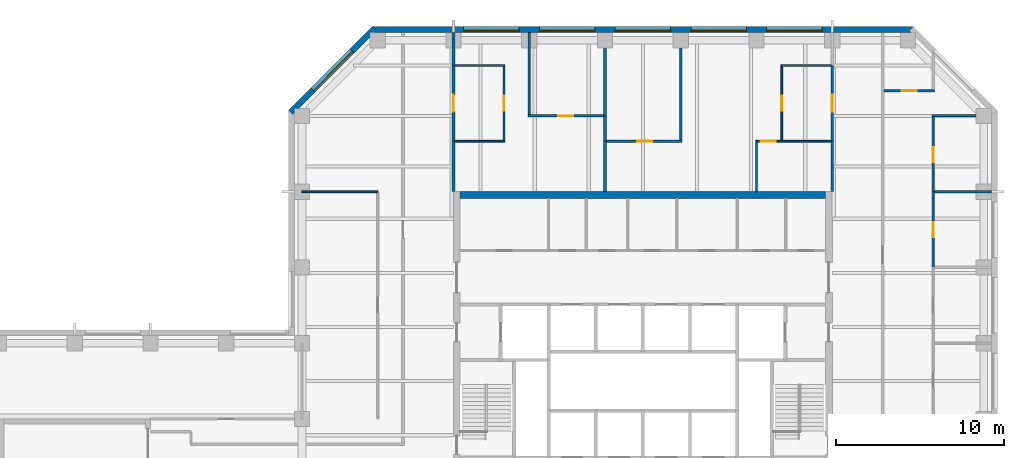
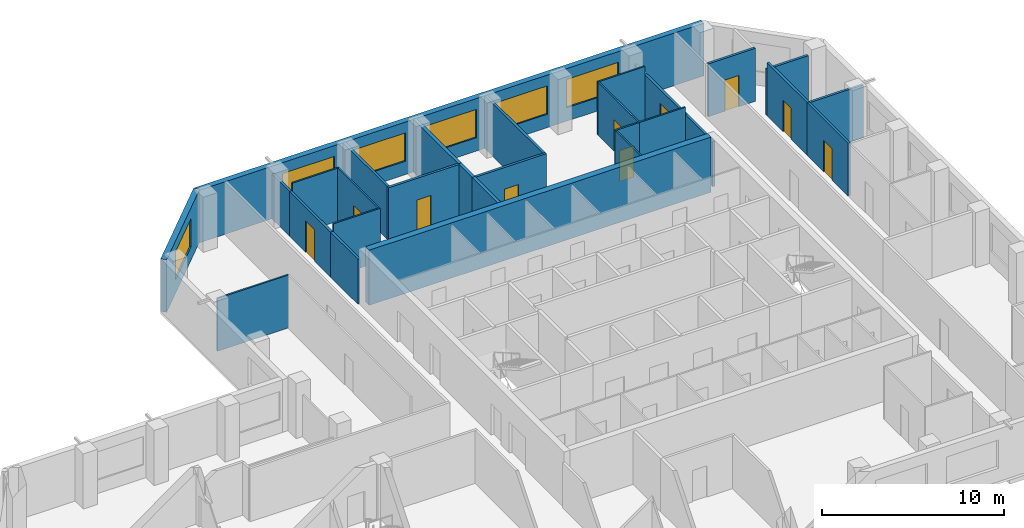
# One storey, part 7 of 9: 29 walls, 10 doors, 6 windows, 16 openings.
"""IFC4 building model written with IfcOpenShell, lengths in metres."""

from ifc_helpers import new_model, si_unit, direction, frame, frame_2d, origin, place, context, subcontext, project, spatial, rectangle, extrude, material, layer, layer_set, constituent, constituent_set, type_object, element, fill, save


model = new_model("IFC4")

# Units and contexts
model_context = context("Model", 3, precision=1e-05, world=origin(), true_north=direction((0.0, 1.0)))
body_context = subcontext(model_context, "Body", "Model", "MODEL_VIEW")
ifc_project = project(units=[si_unit("LENGTHUNIT", "METRE"), si_unit("AREAUNIT", "SQUARE_METRE"), si_unit("VOLUMEUNIT", "CUBIC_METRE"), si_unit("PLANEANGLEUNIT", "RADIAN"), si_unit("MASSUNIT", "GRAM", prefix="KILO")], contexts=[model_context])

# Site, building, storey
site_placement = place(None, origin())
site = spatial("IfcSite", under=ifc_project, at=site_placement, CompositionType="ELEMENT")
building_placement = place(site_placement, origin())
building = spatial("IfcBuilding", under=site, at=building_placement, Name="Quoin Convention Tower", CompositionType="ELEMENT")
storey_placement = place(building_placement, frame((0.0, 0.0, 230.39990234375)))
storey = spatial("IfcBuildingStorey", under=building, at=storey_placement, Name="L60", CompositionType="ELEMENT", Elevation=230.39990234375)

# Wall
ifc_material_1 = material(Name="Plasterboard")
ifc_layer_1 = layer(ifc_material_1, 0.012451171875, Name="Finish")
ifc_material_2 = material(Name="Steel stud framing", Category="steel")
ifc_layer_2 = layer(ifc_material_2, 0.125, Name="Structure")
ifc_layer_3 = layer(ifc_material_1, 0.012451171875, Name="Finish")
ifc_layer_set_1 = layer_set([ifc_layer_1, ifc_layer_2, ifc_layer_3], Name="Steel stud framing")
wall_type_1 = type_object("IfcWallType", Name="Acoustic partition 150", PredefinedType="PARTITIONING", material=ifc_layer_set_1)
wall_1_placement = place(storey_placement, frame((73.574951171875, 72.0, 0.0), z_axis=(0.0, 0.0, 1.0), x_axis=(1.0, 0.0, 0.0)))
element("IfcWall", 1, at=wall_1_placement, inside=storey, type_object=wall_type_1, Name="pw-L60-023", PredefinedType="PARTITIONING", context=body_context, shape_type="SweptSolid", body=[
    extrude(rectangle(XDim=3.375, YDim=0.14990234375, at=frame_2d((1.6875, 0.0))), origin(), (0.0, 0.0, 1.0), 3.550048828125),
])

# Wall, opening, door
wall_2_placement = place(storey_placement, frame((54.10009765625, 75.0, 0.0), z_axis=(0.0, 0.0, 1.0), x_axis=(1.0, 0.0, 0.0)))
wall_2 = element("IfcWall", 2, at=wall_2_placement, inside=storey, type_object=wall_type_1, Name="pw-L60-025", PredefinedType="PARTITIONING", context=body_context, shape_type="SweptSolid", body=[
    extrude(rectangle(XDim=4.474853515625, YDim=0.14990234375, at=frame_2d((2.2373046875, 0.0))), origin(), (0.0, 0.0, 1.0), 3.550048828125),
])
opening_1_placement = place(wall_2_placement, frame((1.800048828125, 0.0, 0.0)))
opening_1 = element("IfcOpeningElement", 3, at=opening_1_placement, cuts=wall_2, Name="Opening DOH10-04", PredefinedType="OPENING", context=body_context, shape_type="SweptSolid", body=[
    extrude(rectangle(XDim=0.89990234375, YDim=2.10009765625, at=frame_2d((0.449951171875, 1.050048828125))), frame((0.0, 0.0849609375, 0.0), z_axis=(0.0, -1.0, 0.0), x_axis=(1.0, 0.0, 0.0)), (0.0, 0.0, 1.0), 0.169921875),
])
ifc_material_3 = material(Name="Steel door leaf", Category="steel")
door_type_1 = type_object("IfcDoorType", Name="Office door 900 x 2100", OperationType="SINGLE_SWING_RIGHT", PredefinedType="DOOR", material=ifc_material_3)
door_1_placement = place(opening_1_placement, frame((0.89990234375, 0.0, 0.0), z_axis=(0.0, 0.0, 1.0), x_axis=(-1.0, 0.0, 0.0)))
door_1 = element("IfcDoor", 4, at=door_1_placement, inside=storey, type_object=door_type_1, Name="dr-L60-20", OperationType="SINGLE_SWING_LEFT", OverallHeight=2.10009765625, OverallWidth=0.89990234375, PredefinedType="DOOR", context=body_context, shape_type="SweptSolid", body=[
    extrude(rectangle(XDim=0.89990234375, YDim=2.10009765625, at=frame_2d((0.449951171875, 1.050048828125))), frame((0.0, 0.02490234375, 0.0), z_axis=(0.0, -1.0, 0.0), x_axis=(1.0, 0.0, 0.0)), (0.0, 0.0, 1.0), 0.050048828125),
])
fill(opening_1, door_1)

wall_3_placement = place(storey_placement, frame((49.425048828125, 76.5, 0.0), z_axis=(0.0, 0.0, 1.0), x_axis=(1.0, 0.0, 0.0)))
wall_3 = element("IfcWall", 5, at=wall_3_placement, inside=storey, type_object=wall_type_1, Name="pw-L60-028", PredefinedType="PARTITIONING", context=body_context, shape_type="SweptSolid", body=[
    extrude(rectangle(XDim=4.474853515625, YDim=0.14990234375, at=frame_2d((2.2373046875, 0.0))), origin(), (0.0, 0.0, 1.0), 3.550048828125),
])
opening_2_placement = place(wall_3_placement, frame((1.800048828125, 0.0, 0.0)))
opening_2 = element("IfcOpeningElement", 6, at=opening_2_placement, cuts=wall_3, Name="Opening DOH10-06", PredefinedType="OPENING", context=body_context, shape_type="SweptSolid", body=[
    extrude(rectangle(XDim=0.89990234375, YDim=2.10009765625, at=frame_2d((0.449951171875, 1.050048828125))), frame((0.0, 0.0849609375, 0.0), z_axis=(0.0, -1.0, 0.0), x_axis=(1.0, 0.0, 0.0)), (0.0, 0.0, 1.0), 0.169921875),
])
door_2_placement = place(opening_2_placement, frame((0.89990234375, 0.0, 0.0), z_axis=(0.0, 0.0, 1.0), x_axis=(-1.0, 0.0, 0.0)))
door_2 = element("IfcDoor", 7, at=door_2_placement, inside=storey, type_object=door_type_1, Name="dr-L60-17", OperationType="SINGLE_SWING_LEFT", OverallHeight=2.10009765625, OverallWidth=0.89990234375, PredefinedType="DOOR", context=body_context, shape_type="SweptSolid", body=[
    extrude(rectangle(XDim=0.89990234375, YDim=2.10009765625, at=frame_2d((0.449951171875, 1.050048828125))), frame((0.0, 0.02490234375, 0.0), z_axis=(0.0, -1.0, 0.0), x_axis=(1.0, 0.0, 0.0)), (0.0, 0.0, 1.0), 0.050048828125),
])
fill(opening_2, door_2)

wall_4_placement = place(storey_placement, frame((73.5, 67.5, 0.0), z_axis=(0.0, 0.0, 1.0), x_axis=(0.0, 1.0, 0.0)))
wall_4 = element("IfcWall", 8, at=wall_4_placement, inside=storey, type_object=wall_type_1, Name="pw-L60-065", PredefinedType="PARTITIONING", context=body_context, shape_type="SweptSolid", body=[
    extrude(rectangle(XDim=4.5, YDim=0.14990234375, at=frame_2d((2.25, 0.0))), origin(), (0.0, 0.0, 1.0), 3.550048828125),
])
opening_3_placement = place(wall_4_placement, frame((1.800048828125, 0.0, 0.0)))
opening_3 = element("IfcOpeningElement", 9, at=opening_3_placement, cuts=wall_4, Name="Opening DOH10-18", PredefinedType="OPENING", context=body_context, shape_type="SweptSolid", body=[
    extrude(rectangle(XDim=0.89990234375, YDim=2.10009765625, at=frame_2d((0.449951171875, 1.050048828125))), frame((0.0, 0.0849609375, 0.0), z_axis=(0.0, -1.0, 0.0), x_axis=(1.0, 0.0, 0.0)), (0.0, 0.0, 1.0), 0.169921875),
])
door_3_placement = place(opening_3_placement, origin())
door_3 = element("IfcDoor", 10, at=door_3_placement, inside=storey, type_object=door_type_1, Name="dr-L60-29", OperationType="SINGLE_SWING_RIGHT", OverallHeight=2.10009765625, OverallWidth=0.89990234375, PredefinedType="DOOR", context=body_context, shape_type="SweptSolid", body=[
    extrude(rectangle(XDim=0.89990234375, YDim=2.10009765625, at=frame_2d((0.449951171875, 1.050048828125))), frame((0.0, 0.02490234375, 0.0), z_axis=(0.0, -1.0, 0.0), x_axis=(1.0, 0.0, 0.0)), (0.0, 0.0, 1.0), 0.050048828125),
])
fill(opening_3, door_3)

wall_5_placement = place(storey_placement, frame((73.5, 72.0, 0.0), z_axis=(0.0, 0.0, 1.0), x_axis=(0.0, 1.0, 0.0)))
wall_5 = element("IfcWall", 11, at=wall_5_placement, inside=storey, type_object=wall_type_1, Name="pw-L60-070", PredefinedType="PARTITIONING", context=body_context, shape_type="SweptSolid", body=[
    extrude(rectangle(XDim=4.425048828125, YDim=0.14990234375, at=frame_2d((2.21240234375, 0.0))), origin(), (0.0, 0.0, 1.0), 3.550048828125),
])
opening_4_placement = place(wall_5_placement, frame((1.75, 0.0, 0.0)))
opening_4 = element("IfcOpeningElement", 12, at=opening_4_placement, cuts=wall_5, Name="Opening DOH10-19", PredefinedType="OPENING", context=body_context, shape_type="SweptSolid", body=[
    extrude(rectangle(XDim=0.89990234375, YDim=2.10009765625, at=frame_2d((0.449951171875, 1.050048828125))), frame((0.0, 0.0849609375, 0.0), z_axis=(0.0, -1.0, 0.0), x_axis=(1.0, 0.0, 0.0)), (0.0, 0.0, 1.0), 0.169921875),
])
door_4_placement = place(opening_4_placement, origin())
door_4 = element("IfcDoor", 13, at=door_4_placement, inside=storey, type_object=door_type_1, Name="dr-L60-30", OperationType="SINGLE_SWING_RIGHT", OverallHeight=2.10009765625, OverallWidth=0.89990234375, PredefinedType="DOOR", context=body_context, shape_type="SweptSolid", body=[
    extrude(rectangle(XDim=0.89990234375, YDim=2.10009765625, at=frame_2d((0.449951171875, 1.050048828125))), frame((0.0, 0.02490234375, 0.0), z_axis=(0.0, -1.0, 0.0), x_axis=(1.0, 0.0, 0.0)), (0.0, 0.0, 1.0), 0.050048828125),
])
fill(opening_4, door_4)

# Walls
wall_6_placement = place(storey_placement, frame((58.5, 75.074951171875, 0.0), z_axis=(0.0, 0.0, 1.0), x_axis=(0.0, 1.0, 0.0)))
element("IfcWall", 14, at=wall_6_placement, inside=storey, type_object=wall_type_1, Name="pw-L60-076", PredefinedType="PARTITIONING", context=body_context, shape_type="SweptSolid", body=[
    extrude(rectangle(XDim=6.375, YDim=0.14990234375, at=frame_2d((3.1875, 0.0))), origin(), (0.0, 0.0, 1.0), 3.550048828125),
])
wall_7_placement = place(storey_placement, frame((49.5, 76.574951171875, 0.0), z_axis=(0.0, 0.0, 1.0), x_axis=(0.0, 1.0, 0.0)))
element("IfcWall", 15, at=wall_7_placement, inside=storey, type_object=wall_type_1, Name="pw-L60-078", PredefinedType="PARTITIONING", context=body_context, shape_type="SweptSolid", body=[
    extrude(rectangle(XDim=4.875, YDim=0.14990234375, at=frame_2d((2.4375, 0.0))), origin(), (0.0, 0.0, 1.0), 3.550048828125),
])
ifc_layer_4 = layer(ifc_material_1, 0.012451171875, Name="Finish")
ifc_layer_5 = layer(ifc_material_2, 0.125, Name="Structure")
ifc_layer_6 = layer(ifc_material_1, 0.012451171875, Name="Finish")
ifc_layer_set_2 = layer_set([ifc_layer_4, ifc_layer_5, ifc_layer_6], Name="Steel stud framing")
wall_type_2 = type_object("IfcWallType", Name="Acoustic partition 150 under beam 454", PredefinedType="PARTITIONING", material=ifc_layer_set_2)
wall_8_placement = place(storey_placement, frame((73.425048828125, 76.5, 0.0), z_axis=(0.0, 0.0, 1.0), x_axis=(1.0, 0.0, 0.0)))
element("IfcWall", 16, at=wall_8_placement, inside=storey, type_object=wall_type_2, Name="pw-L60-029", PredefinedType="PARTITIONING", context=body_context, shape_type="SweptSolid", body=[
    extrude(rectangle(XDim=2.625, YDim=0.14990234375, at=frame_2d((1.3125, 0.0))), origin(), (0.0, 0.0, 1.0), 3.09619140625),
])

# Wall, openings, windows
ifc_material_4 = material(Name="Brick masonry", Category="masonry")
ifc_layer_7 = layer(ifc_material_4, 0.35009765625)
ifc_layer_set_3 = layer_set([ifc_layer_7], Name="Brick masonry")
wall_type_3 = type_object("IfcWallType", Name="Brick facade wall", PredefinedType="STANDARD", material=ifc_layer_set_3)
wall_9_placement = place(storey_placement, frame((72.331298828125, 81.625, 0.0), z_axis=(0.0, 0.0, 1.0), x_axis=(-1.0, 0.0, 0.0)))
wall_9 = element("IfcWall", 17, at=wall_9_placement, inside=storey, type_object=wall_type_3, Name="fw-L60-72000_81000", PredefinedType="STANDARD", context=body_context, shape_type="SweptSolid", body=[
    extrude(rectangle(XDim=32.16259765625, YDim=0.35009765625, at=frame_2d((16.081298828125, 0.0))), origin(), (0.0, 0.0, 1.0), 3.525146484375),
])
opening_5_placement = place(wall_9_placement, frame((5.431396484375, 0.0, 0.89990234375)))
opening_5 = element("IfcOpeningElement", 18, at=opening_5_placement, cuts=wall_9, Name="Opening W-02", PredefinedType="OPENING", context=body_context, shape_type="SweptSolid", body=[
    extrude(rectangle(XDim=3.300048828125, YDim=1.89990234375, at=frame_2d((1.64990234375, 0.949951171875))), frame((0.0, 0.18505859375, 0.0), z_axis=(0.0, -1.0, 0.0), x_axis=(1.0, 0.0, 0.0)), (0.0, 0.0, 1.0), 0.3701171875),
])
opening_6_placement = place(wall_9_placement, frame((9.931396484375, 0.0, 0.89990234375)))
opening_6 = element("IfcOpeningElement", 19, at=opening_6_placement, cuts=wall_9, Name="Opening W-02", PredefinedType="OPENING", context=body_context, shape_type="SweptSolid", body=[
    extrude(rectangle(XDim=3.300048828125, YDim=1.89990234375, at=frame_2d((1.64990234375, 0.949951171875))), frame((0.0, 0.18505859375, 0.0), z_axis=(0.0, -1.0, 0.0), x_axis=(1.0, 0.0, 0.0)), (0.0, 0.0, 1.0), 0.3701171875),
])
opening_7_placement = place(wall_9_placement, frame((14.431396484375, 0.0, 0.89990234375)))
opening_7 = element("IfcOpeningElement", 20, at=opening_7_placement, cuts=wall_9, Name="Opening W-02", PredefinedType="OPENING", context=body_context, shape_type="SweptSolid", body=[
    extrude(rectangle(XDim=3.300048828125, YDim=1.89990234375, at=frame_2d((1.64990234375, 0.949951171875))), frame((0.0, 0.18505859375, 0.0), z_axis=(0.0, -1.0, 0.0), x_axis=(1.0, 0.0, 0.0)), (0.0, 0.0, 1.0), 0.3701171875),
])
opening_8_placement = place(wall_9_placement, frame((18.931396484375, 0.0, 0.89990234375)))
opening_8 = element("IfcOpeningElement", 21, at=opening_8_placement, cuts=wall_9, Name="Opening W-02", PredefinedType="OPENING", context=body_context, shape_type="SweptSolid", body=[
    extrude(rectangle(XDim=3.300048828125, YDim=1.89990234375, at=frame_2d((1.64990234375, 0.949951171875))), frame((0.0, 0.18505859375, 0.0), z_axis=(0.0, -1.0, 0.0), x_axis=(1.0, 0.0, 0.0)), (0.0, 0.0, 1.0), 0.3701171875),
])
opening_9_placement = place(wall_9_placement, frame((23.431396484375, 0.0, 0.89990234375)))
opening_9 = element("IfcOpeningElement", 22, at=opening_9_placement, cuts=wall_9, Name="Opening W-02", PredefinedType="OPENING", context=body_context, shape_type="SweptSolid", body=[
    extrude(rectangle(XDim=3.300048828125, YDim=1.89990234375, at=frame_2d((1.64990234375, 0.949951171875))), frame((0.0, 0.18505859375, 0.0), z_axis=(0.0, -1.0, 0.0), x_axis=(1.0, 0.0, 0.0)), (0.0, 0.0, 1.0), 0.3701171875),
])
ifc_material_5 = material(Name="Aluminium", Category="aluminium")
ifc_constituent_1 = constituent(ifc_material_5, Name="Frame")
ifc_material_6 = material(Name="Insulated glass", Category="glass")
ifc_constituent_2 = constituent(ifc_material_6, Name="Glazing")
ifc_constituent_set = constituent_set(constituents=[ifc_constituent_1, ifc_constituent_2], Name="Aluminium")
window_type = type_object("IfcWindowType", Name="Office window", PartitioningType="DOUBLE_PANEL_VERTICAL", PredefinedType="WINDOW", material=ifc_constituent_set)
window_1_placement = place(opening_5_placement, origin())
window_1 = element("IfcWindow", 23, at=window_1_placement, inside=storey, type_object=window_type, Name="win-L60-65250_81625", OverallHeight=1.89990234375, OverallWidth=3.300048828125, PartitioningType="SINGLE_PANEL", PredefinedType="WINDOW", context=body_context, shape_type="SweptSolid", body=[
    extrude(rectangle(XDim=3.300048828125, YDim=1.89990234375, at=frame_2d((1.64990234375, 0.949951171875))), frame((0.0, 0.0849609375, 0.0), z_axis=(0.0, -1.0, 0.0), x_axis=(1.0, 0.0, 0.0)), (0.0, 0.0, 1.0), 0.06005859375),
])
fill(opening_5, window_1)
window_2_placement = place(opening_6_placement, origin())
window_2 = element("IfcWindow", 24, at=window_2_placement, inside=storey, type_object=window_type, Name="win-L60-60750_81625", OverallHeight=1.89990234375, OverallWidth=3.300048828125, PartitioningType="SINGLE_PANEL", PredefinedType="WINDOW", context=body_context, shape_type="SweptSolid", body=[
    extrude(rectangle(XDim=3.300048828125, YDim=1.89990234375, at=frame_2d((1.64990234375, 0.949951171875))), frame((0.0, 0.0849609375, 0.0), z_axis=(0.0, -1.0, 0.0), x_axis=(1.0, 0.0, 0.0)), (0.0, 0.0, 1.0), 0.06005859375),
])
fill(opening_6, window_2)
window_3_placement = place(opening_7_placement, origin())
window_3 = element("IfcWindow", 25, at=window_3_placement, inside=storey, type_object=window_type, Name="win-L60-56250_81625", OverallHeight=1.89990234375, OverallWidth=3.300048828125, PartitioningType="SINGLE_PANEL", PredefinedType="WINDOW", context=body_context, shape_type="SweptSolid", body=[
    extrude(rectangle(XDim=3.300048828125, YDim=1.89990234375, at=frame_2d((1.64990234375, 0.949951171875))), frame((0.0, 0.0849609375, 0.0), z_axis=(0.0, -1.0, 0.0), x_axis=(1.0, 0.0, 0.0)), (0.0, 0.0, 1.0), 0.06005859375),
])
fill(opening_7, window_3)
window_4_placement = place(opening_8_placement, origin())
window_4 = element("IfcWindow", 26, at=window_4_placement, inside=storey, type_object=window_type, Name="win-L60-51750_81625", OverallHeight=1.89990234375, OverallWidth=3.300048828125, PartitioningType="SINGLE_PANEL", PredefinedType="WINDOW", context=body_context, shape_type="SweptSolid", body=[
    extrude(rectangle(XDim=3.300048828125, YDim=1.89990234375, at=frame_2d((1.64990234375, 0.949951171875))), frame((0.0, 0.0849609375, 0.0), z_axis=(0.0, -1.0, 0.0), x_axis=(1.0, 0.0, 0.0)), (0.0, 0.0, 1.0), 0.06005859375),
])
fill(opening_8, window_4)
window_5_placement = place(opening_9_placement, origin())
window_5 = element("IfcWindow", 27, at=window_5_placement, inside=storey, type_object=window_type, Name="win-L60-47250_81625", OverallHeight=1.89990234375, OverallWidth=3.300048828125, PartitioningType="SINGLE_PANEL", PredefinedType="WINDOW", context=body_context, shape_type="SweptSolid", body=[
    extrude(rectangle(XDim=3.300048828125, YDim=1.89990234375, at=frame_2d((1.64990234375, 0.949951171875))), frame((0.0, 0.0849609375, 0.0), z_axis=(0.0, -1.0, 0.0), x_axis=(1.0, 0.0, 0.0)), (0.0, 0.0, 1.0), 0.06005859375),
])
fill(opening_9, window_5)

# Wall, opening, window
wall_10_placement = place(storey_placement, frame((40.29248046875, 81.67626953125, 0.0), z_axis=(0.0, 0.0, 1.0), x_axis=(-0.707106781187, -0.707106781187, 0.0)))
wall_10 = element("IfcWall", 28, at=wall_10_placement, inside=storey, type_object=wall_type_3, Name="fw-L60-40500_81000", PredefinedType="STANDARD", context=body_context, shape_type="SweptSolid", body=[
    extrude(rectangle(XDim=7.02685546875, YDim=0.35009765625, at=frame_2d((3.513427734375, 0.0))), origin(), (0.0, 0.0, 1.0), 3.525146484375),
])
opening_10_placement = place(wall_10_placement, frame((1.86328125, 0.0, 0.89990234375)))
opening_10 = element("IfcOpeningElement", 29, at=opening_10_placement, cuts=wall_10, Name="Opening W-02", PredefinedType="OPENING", context=body_context, shape_type="SweptSolid", body=[
    extrude(rectangle(XDim=3.300048828125, YDim=1.89990234375, at=frame_2d((1.64990234375, 0.949951171875))), frame((0.0, 0.18505859375, 0.0), z_axis=(0.0, -1.0, 0.0), x_axis=(1.0, 0.0, 0.0)), (0.0, 0.0, 1.0), 0.3701171875),
])
window_6_placement = place(opening_10_placement, origin())
window_6 = element("IfcWindow", 30, at=window_6_placement, inside=storey, type_object=window_type, Name="win-L60-37808_79192", OverallHeight=1.89990234375, OverallWidth=3.300048828125, PartitioningType="SINGLE_PANEL", PredefinedType="WINDOW", context=body_context, shape_type="SweptSolid", body=[
    extrude(rectangle(XDim=3.300048828125, YDim=1.89990234375, at=frame_2d((1.64990234375, 0.949951171875))), frame((0.0, 0.0849609375, 0.0), z_axis=(0.0, -1.0, 0.0), x_axis=(1.0, 0.0, 0.0)), (0.0, 0.0, 1.0), 0.06005859375),
])
fill(opening_10, window_6)

# Walls
ifc_layer_8 = layer(ifc_material_1, 0.012451171875, Name="Finish")
ifc_layer_9 = layer(ifc_material_2, 0.125, Name="Structure")
ifc_layer_10 = layer(ifc_material_1, 0.012451171875, Name="Finish")
ifc_layer_set_4 = layer_set([ifc_layer_8, ifc_layer_9, ifc_layer_10], Name="Steel stud framing")
wall_type_4 = type_object("IfcWallType", Name="Corridor wall 150 under beam 528", PredefinedType="PARTITIONING", material=ifc_layer_set_4)
for number, where, z_axis, x_axis, name in (
    (31, (45.0, 72.0, 0.0), (0.0, 0.0, 1.0), (0.0, 1.0, 0.0), "pw-L60-066"),
    (32, (67.5, 72.0, 0.0), (0.0, 0.0, 1.0), (0.0, 1.0, 0.0), "pw-L60-069"),
):
    element("IfcWall", number, at=place(storey_placement, frame(where, z_axis=z_axis, x_axis=x_axis)), inside=storey, type_object=wall_type_4, Name=name, PredefinedType="PARTITIONING", context=body_context, shape_type="SweptSolid", body=[
        extrude(rectangle(XDim=3.0, YDim=0.14990234375, at=frame_2d((1.5, 0.0))), origin(), (0.0, 0.0, 1.0), 3.022216796875),
    ])

# Wall, opening, door
wall_11_placement = place(storey_placement, frame((45.0, 75.0, 0.0), z_axis=(0.0, 0.0, 1.0), x_axis=(0.0, 1.0, 0.0)))
wall_11 = element("IfcWall", 33, at=wall_11_placement, inside=storey, type_object=wall_type_4, Name="pw-L60-071", PredefinedType="PARTITIONING", context=body_context, shape_type="SweptSolid", body=[
    extrude(rectangle(XDim=4.5, YDim=0.14990234375, at=frame_2d((2.25, 0.0))), origin(), (0.0, 0.0, 1.0), 3.022216796875),
])
opening_11_placement = place(wall_11_placement, frame((1.75, 0.0, 0.0)))
opening_11 = element("IfcOpeningElement", 34, at=opening_11_placement, cuts=wall_11, Name="Opening DOH10-20", PredefinedType="OPENING", context=body_context, shape_type="SweptSolid", body=[
    extrude(rectangle(XDim=1.0, YDim=2.10009765625, at=frame_2d((0.5, 1.050048828125))), frame((0.0, 0.0849609375, 0.0), z_axis=(0.0, -1.0, 0.0), x_axis=(1.0, 0.0, 0.0)), (0.0, 0.0, 1.0), 0.169921875),
])
door_type_2 = type_object("IfcDoorType", Name="Tenancy entrance door 1000 x 2100", OperationType="DOUBLE_DOOR_SINGLE_SWING", PredefinedType="DOOR", material=ifc_material_3)
door_5_placement = place(opening_11_placement, origin())
door_5 = element("IfcDoor", 35, at=door_5_placement, inside=storey, type_object=door_type_2, Name="dr-L60-15", OperationType="DOUBLE_DOOR_SINGLE_SWING", OverallHeight=2.10009765625, OverallWidth=1.0, PredefinedType="DOOR", context=body_context, shape_type="SweptSolid", body=[
    extrude(rectangle(XDim=1.0, YDim=2.10009765625, at=frame_2d((0.5, 1.050048828125))), frame((0.0, 0.02490234375, 0.0), z_axis=(0.0, -1.0, 0.0), x_axis=(1.0, 0.0, 0.0)), (0.0, 0.0, 1.0), 0.050048828125),
])
fill(opening_11, door_5)

wall_12_placement = place(storey_placement, frame((67.5, 75.0, 0.0), z_axis=(0.0, 0.0, 1.0), x_axis=(0.0, 1.0, 0.0)))
wall_12 = element("IfcWall", 36, at=wall_12_placement, inside=storey, type_object=wall_type_4, Name="pw-L60-073", PredefinedType="PARTITIONING", context=body_context, shape_type="SweptSolid", body=[
    extrude(rectangle(XDim=4.5, YDim=0.14990234375, at=frame_2d((2.25, 0.0))), origin(), (0.0, 0.0, 1.0), 3.022216796875),
])
opening_12_placement = place(wall_12_placement, frame((1.75, 0.0, 0.0)))
opening_12 = element("IfcOpeningElement", 37, at=opening_12_placement, cuts=wall_12, Name="Opening DOH10-21", PredefinedType="OPENING", context=body_context, shape_type="SweptSolid", body=[
    extrude(rectangle(XDim=1.0, YDim=2.10009765625, at=frame_2d((0.5, 1.050048828125))), frame((0.0, 0.0849609375, 0.0), z_axis=(0.0, -1.0, 0.0), x_axis=(1.0, 0.0, 0.0)), (0.0, 0.0, 1.0), 0.169921875),
])
door_6_placement = place(opening_12_placement, frame((1.0, 0.0, 0.0), z_axis=(0.0, 0.0, 1.0), x_axis=(-1.0, 0.0, 0.0)))
door_6 = element("IfcDoor", 38, at=door_6_placement, inside=storey, type_object=door_type_2, Name="dr-L60-18", OperationType="DOUBLE_DOOR_SINGLE_SWING", OverallHeight=2.10009765625, OverallWidth=1.0, PredefinedType="DOOR", context=body_context, shape_type="SweptSolid", body=[
    extrude(rectangle(XDim=1.0, YDim=2.10009765625, at=frame_2d((0.5, 1.050048828125))), frame((0.0, 0.02490234375, 0.0), z_axis=(0.0, -1.0, 0.0), x_axis=(1.0, 0.0, 0.0)), (0.0, 0.0, 1.0), 0.050048828125),
])
fill(opening_12, door_6)

# Walls
wall_13_placement = place(storey_placement, frame((45.0, 79.5, 0.0), z_axis=(0.0, 0.0, 1.0), x_axis=(0.0, 1.0, 0.0)))
element("IfcWall", 39, at=wall_13_placement, inside=storey, type_object=wall_type_4, Name="pw-L60-081", PredefinedType="PARTITIONING", context=body_context, shape_type="SweptSolid", body=[
    extrude(rectangle(XDim=1.949951171875, YDim=0.14990234375, at=frame_2d((0.97509765625, 0.0))), origin(), (0.0, 0.0, 1.0), 3.022216796875),
])
ifc_material_7 = material(Name="Concrete C50", Category="concrete")
ifc_layer_11 = layer(ifc_material_7, 0.39990234375)
ifc_layer_set_5 = layer_set([ifc_layer_11], Name="Concrete C50")
wall_type_5 = type_object("IfcWallType", Name="RC CORE WALL 400 C50", PredefinedType="SHEAR", material=ifc_layer_set_5)
wall_14_placement = place(storey_placement, frame((45.39990234375, 71.800048828125, 0.0), z_axis=(0.0, 0.0, 1.0), x_axis=(1.0, 0.0, 0.0)))
element("IfcWall", 40, at=wall_14_placement, inside=storey, type_object=wall_type_5, Name="cwl-C1-L60-N", PredefinedType="SHEAR", context=body_context, shape_type="SweptSolid", body=[
    extrude(rectangle(XDim=21.7001953125, YDim=0.39990234375, at=frame_2d((10.85009765625, 0.0))), origin(), (0.0, 0.0, 1.0), 3.7001953125),
])
ifc_layer_12 = layer(ifc_material_1, 0.012451171875, Name="Finish")
ifc_layer_13 = layer(ifc_material_2, 0.074951171875, Name="Structure")
ifc_layer_14 = layer(ifc_material_1, 0.012451171875, Name="Finish")
ifc_layer_set_6 = layer_set([ifc_layer_12, ifc_layer_13, ifc_layer_14], Name="Steel stud framing")
wall_type_6 = type_object("IfcWallType", Name="Stud partition 100", PredefinedType="PARTITIONING", material=ifc_layer_set_6)
wall_15_placement = place(storey_placement, frame((45.074951171875, 75.0, 0.0), z_axis=(0.0, 0.0, 1.0), x_axis=(1.0, 0.0, 0.0)))
element("IfcWall", 41, at=wall_15_placement, inside=storey, type_object=wall_type_6, Name="pw-L60-024", PredefinedType="PARTITIONING", context=body_context, shape_type="SweptSolid", body=[
    extrude(rectangle(XDim=2.97509765625, YDim=0.10009765625, at=frame_2d((1.487548828125, 0.0))), origin(), (0.0, 0.0, 1.0), 3.550048828125),
])

# Wall, opening, door
wall_16_placement = place(storey_placement, frame((62.949951171875, 75.0, 0.0), z_axis=(0.0, 0.0, 1.0), x_axis=(1.0, 0.0, 0.0)))
wall_16 = element("IfcWall", 42, at=wall_16_placement, inside=storey, type_object=wall_type_6, Name="pw-L60-026", PredefinedType="PARTITIONING", context=body_context, shape_type="SweptSolid", body=[
    extrude(rectangle(XDim=1.550048828125, YDim=0.10009765625, at=frame_2d((0.77490234375, 0.0))), origin(), (0.0, 0.0, 1.0), 3.550048828125),
])
opening_13_placement = place(wall_16_placement, frame((0.300048828125, 0.0, 0.0)))
opening_13 = element("IfcOpeningElement", 43, at=opening_13_placement, cuts=wall_16, Name="Opening DOH10-05", PredefinedType="OPENING", context=body_context, shape_type="SweptSolid", body=[
    extrude(rectangle(XDim=0.89990234375, YDim=2.10009765625, at=frame_2d((0.449951171875, 1.050048828125))), frame((0.0, 0.06005859375, 0.0), z_axis=(0.0, -1.0, 0.0), x_axis=(1.0, 0.0, 0.0)), (0.0, 0.0, 1.0), 0.1201171875),
])
door_7_placement = place(opening_13_placement, origin())
door_7 = element("IfcDoor", 44, at=door_7_placement, inside=storey, type_object=door_type_1, Name="dr-L60-21", OperationType="SINGLE_SWING_RIGHT", OverallHeight=2.10009765625, OverallWidth=0.89990234375, PredefinedType="DOOR", context=body_context, shape_type="SweptSolid", body=[
    extrude(rectangle(XDim=0.89990234375, YDim=2.10009765625, at=frame_2d((0.449951171875, 1.050048828125))), frame((0.0, 0.02490234375, 0.0), z_axis=(0.0, -1.0, 0.0), x_axis=(1.0, 0.0, 0.0)), (0.0, 0.0, 1.0), 0.050048828125),
])
fill(opening_13, door_7)

# Walls
wall_17_placement = place(storey_placement, frame((64.5, 75.0, 0.0), z_axis=(0.0, 0.0, 1.0), x_axis=(1.0, 0.0, 0.0)))
element("IfcWall", 45, at=wall_17_placement, inside=storey, type_object=wall_type_6, Name="pw-L60-027", PredefinedType="PARTITIONING", context=body_context, shape_type="SweptSolid", body=[
    extrude(rectangle(XDim=2.925048828125, YDim=0.10009765625, at=frame_2d((1.46240234375, 0.0))), origin(), (0.0, 0.0, 1.0), 3.550048828125),
])
for number, where, z_axis, x_axis, name in (
    (46, (45.074951171875, 79.5, 0.0), (0.0, 0.0, 1.0), (1.0, 0.0, 0.0), "pw-L60-031"),
    (47, (64.449951171875, 79.5, 0.0), (0.0, 0.0, 1.0), (1.0, 0.0, 0.0), "pw-L60-032"),
):
    element("IfcWall", number, at=place(storey_placement, frame(where, z_axis=z_axis, x_axis=x_axis)), inside=storey, type_object=wall_type_6, Name=name, PredefinedType="PARTITIONING", context=body_context, shape_type="SweptSolid", body=[
        extrude(rectangle(XDim=2.97509765625, YDim=0.10009765625, at=frame_2d((1.487548828125, 0.0))), origin(), (0.0, 0.0, 1.0), 3.550048828125),
    ])
wall_18_placement = place(storey_placement, frame((63.0, 72.0, 0.0), z_axis=(0.0, 0.0, 1.0), x_axis=(0.0, 1.0, 0.0)))
element("IfcWall", 48, at=wall_18_placement, inside=storey, type_object=wall_type_6, Name="pw-L60-068", PredefinedType="PARTITIONING", context=body_context, shape_type="SweptSolid", body=[
    extrude(rectangle(XDim=2.949951171875, YDim=0.10009765625, at=frame_2d((1.47509765625, 0.0))), origin(), (0.0, 0.0, 1.0), 3.550048828125),
])

# Wall, opening, door
wall_19_placement = place(storey_placement, frame((48.0, 75.050048828125, 0.0), z_axis=(0.0, 0.0, 1.0), x_axis=(0.0, 1.0, 0.0)))
wall_19 = element("IfcWall", 49, at=wall_19_placement, inside=storey, type_object=wall_type_6, Name="pw-L60-074", PredefinedType="PARTITIONING", context=body_context, shape_type="SweptSolid", body=[
    extrude(rectangle(XDim=4.39990234375, YDim=0.10009765625, at=frame_2d((2.199951171875, 0.0))), origin(), (0.0, 0.0, 1.0), 3.550048828125),
])
opening_14_placement = place(wall_19_placement, frame((1.75, 0.0, 0.0)))
opening_14 = element("IfcOpeningElement", 50, at=opening_14_placement, cuts=wall_19, Name="Opening DOH10-22", PredefinedType="OPENING", context=body_context, shape_type="SweptSolid", body=[
    extrude(rectangle(XDim=0.89990234375, YDim=2.10009765625, at=frame_2d((0.449951171875, 1.050048828125))), frame((0.0, 0.06005859375, 0.0), z_axis=(0.0, -1.0, 0.0), x_axis=(1.0, 0.0, 0.0)), (0.0, 0.0, 1.0), 0.1201171875),
])
door_8_placement = place(opening_14_placement, frame((0.89990234375, 0.0, 0.0), z_axis=(0.0, 0.0, 1.0), x_axis=(-1.0, 0.0, 0.0)))
door_8 = element("IfcDoor", 51, at=door_8_placement, inside=storey, type_object=door_type_1, Name="dr-L60-16", OperationType="SINGLE_SWING_LEFT", OverallHeight=2.10009765625, OverallWidth=0.89990234375, PredefinedType="DOOR", context=body_context, shape_type="SweptSolid", body=[
    extrude(rectangle(XDim=0.89990234375, YDim=2.10009765625, at=frame_2d((0.449951171875, 1.050048828125))), frame((0.0, 0.02490234375, 0.0), z_axis=(0.0, -1.0, 0.0), x_axis=(1.0, 0.0, 0.0)), (0.0, 0.0, 1.0), 0.050048828125),
])
fill(opening_14, door_8)

wall_20_placement = place(storey_placement, frame((64.5, 75.050048828125, 0.0), z_axis=(0.0, 0.0, 1.0), x_axis=(0.0, 1.0, 0.0)))
wall_20 = element("IfcWall", 52, at=wall_20_placement, inside=storey, type_object=wall_type_6, Name="pw-L60-075", PredefinedType="PARTITIONING", context=body_context, shape_type="SweptSolid", body=[
    extrude(rectangle(XDim=4.39990234375, YDim=0.10009765625, at=frame_2d((2.199951171875, 0.0))), origin(), (0.0, 0.0, 1.0), 3.550048828125),
])
opening_15_placement = place(wall_20_placement, frame((1.75, 0.0, 0.0)))
opening_15 = element("IfcOpeningElement", 53, at=opening_15_placement, cuts=wall_20, Name="Opening DOH10-23", PredefinedType="OPENING", context=body_context, shape_type="SweptSolid", body=[
    extrude(rectangle(XDim=0.89990234375, YDim=2.10009765625, at=frame_2d((0.449951171875, 1.050048828125))), frame((0.0, 0.06005859375, 0.0), z_axis=(0.0, -1.0, 0.0), x_axis=(1.0, 0.0, 0.0)), (0.0, 0.0, 1.0), 0.1201171875),
])
door_9_placement = place(opening_15_placement, origin())
door_9 = element("IfcDoor", 54, at=door_9_placement, inside=storey, type_object=door_type_1, Name="dr-L60-19", OperationType="SINGLE_SWING_RIGHT", OverallHeight=2.10009765625, OverallWidth=0.89990234375, PredefinedType="DOOR", context=body_context, shape_type="SweptSolid", body=[
    extrude(rectangle(XDim=0.89990234375, YDim=2.10009765625, at=frame_2d((0.449951171875, 1.050048828125))), frame((0.0, 0.02490234375, 0.0), z_axis=(0.0, -1.0, 0.0), x_axis=(1.0, 0.0, 0.0)), (0.0, 0.0, 1.0), 0.050048828125),
])
fill(opening_15, door_9)

# Walls
wall_21_placement = place(storey_placement, frame((36.0, 72.0, 0.0), z_axis=(0.0, 0.0, 1.0), x_axis=(1.0, 0.0, 0.0)))
element("IfcWall", 55, at=wall_21_placement, inside=storey, type_object=wall_type_6, Name="pw-L60-w01", PredefinedType="PARTITIONING", context=body_context, shape_type="SweptSolid", body=[
    extrude(rectangle(XDim=4.5, YDim=0.10009765625, at=frame_2d((2.25, 0.0))), origin(), (0.0, 0.0, 1.0), 3.550048828125),
])
ifc_layer_15 = layer(ifc_material_1, 0.012451171875, Name="Finish")
ifc_layer_16 = layer(ifc_material_2, 0.175048828125, Name="Structure")
ifc_layer_17 = layer(ifc_material_1, 0.012451171875, Name="Finish")
ifc_layer_set_7 = layer_set([ifc_layer_15, ifc_layer_16, ifc_layer_17], Name="Steel stud framing")
wall_type_7 = type_object("IfcWallType", Name="Tenancy demising wall 200", PredefinedType="PARTITIONING", material=ifc_layer_set_7)
wall_22_placement = place(storey_placement, frame((54.0, 72.0, 0.0), z_axis=(0.0, 0.0, 1.0), x_axis=(0.0, 1.0, 0.0)))
element("IfcWall", 56, at=wall_22_placement, inside=storey, type_object=wall_type_7, Name="pw-L60-067", PredefinedType="PARTITIONING", context=body_context, shape_type="SweptSolid", body=[
    extrude(rectangle(XDim=3.0, YDim=0.199951171875, at=frame_2d((1.5, 0.0))), origin(), (0.0, 0.0, 1.0), 3.550048828125),
])
wall_23_placement = place(storey_placement, frame((54.0, 75.0, 0.0), z_axis=(0.0, 0.0, 1.0), x_axis=(0.0, 1.0, 0.0)))
element("IfcWall", 57, at=wall_23_placement, inside=storey, type_object=wall_type_7, Name="pw-L60-072", PredefinedType="PARTITIONING", context=body_context, shape_type="SweptSolid", body=[
    extrude(rectangle(XDim=1.5, YDim=0.199951171875, at=frame_2d((0.75, 0.0))), origin(), (0.0, 0.0, 1.0), 3.550048828125),
])
wall_24_placement = place(storey_placement, frame((54.0, 76.5, 0.0), z_axis=(0.0, 0.0, 1.0), x_axis=(0.0, 1.0, 0.0)))
element("IfcWall", 58, at=wall_24_placement, inside=storey, type_object=wall_type_7, Name="pw-L60-077", PredefinedType="PARTITIONING", context=body_context, shape_type="SweptSolid", body=[
    extrude(rectangle(XDim=4.949951171875, YDim=0.199951171875, at=frame_2d((2.47509765625, 0.0))), origin(), (0.0, 0.0, 1.0), 3.550048828125),
])

# Wall, opening, door
ifc_layer_18 = layer(ifc_material_1, 0.012451171875, Name="Finish")
ifc_layer_19 = layer(ifc_material_2, 0.125, Name="Structure")
ifc_layer_20 = layer(ifc_material_1, 0.012451171875, Name="Finish")
ifc_layer_set_8 = layer_set([ifc_layer_18, ifc_layer_19, ifc_layer_20], Name="Steel stud framing")
wall_type_8 = type_object("IfcWallType", Name="Wet area partition 150", PredefinedType="PARTITIONING", material=ifc_layer_set_8)
wall_25_placement = place(storey_placement, frame((70.574951171875, 78.0, 0.0), z_axis=(0.0, 0.0, 1.0), x_axis=(1.0, 0.0, 0.0)))
wall_25 = element("IfcWall", 59, at=wall_25_placement, inside=storey, type_object=wall_type_8, Name="pw-L60-030", PredefinedType="PARTITIONING", context=body_context, shape_type="SweptSolid", body=[
    extrude(rectangle(XDim=3.0, YDim=0.14990234375, at=frame_2d((1.5, 0.0))), origin(), (0.0, 0.0, 1.0), 3.550048828125),
])
opening_16_placement = place(wall_25_placement, frame((1.050048828125, 0.0, 0.0)))
opening_16 = element("IfcOpeningElement", 60, at=opening_16_placement, cuts=wall_25, Name="Opening DOH10-07", PredefinedType="OPENING", context=body_context, shape_type="SweptSolid", body=[
    extrude(rectangle(XDim=0.89990234375, YDim=2.10009765625, at=frame_2d((0.449951171875, 1.050048828125))), frame((0.0, 0.0849609375, 0.0), z_axis=(0.0, -1.0, 0.0), x_axis=(1.0, 0.0, 0.0)), (0.0, 0.0, 1.0), 0.169921875),
])
door_10_placement = place(opening_16_placement, frame((0.89990234375, 0.0, 0.0), z_axis=(0.0, 0.0, 1.0), x_axis=(-1.0, 0.0, 0.0)))
door_10 = element("IfcDoor", 61, at=door_10_placement, inside=storey, type_object=door_type_1, Name="dr-L60-28", OperationType="SINGLE_SWING_LEFT", OverallHeight=2.10009765625, OverallWidth=0.89990234375, PredefinedType="DOOR", context=body_context, shape_type="SweptSolid", body=[
    extrude(rectangle(XDim=0.89990234375, YDim=2.10009765625, at=frame_2d((0.449951171875, 1.050048828125))), frame((0.0, 0.02490234375, 0.0), z_axis=(0.0, -1.0, 0.0), x_axis=(1.0, 0.0, 0.0)), (0.0, 0.0, 1.0), 0.050048828125),
])
fill(opening_16, door_10)

save(model, "model.ifc")
